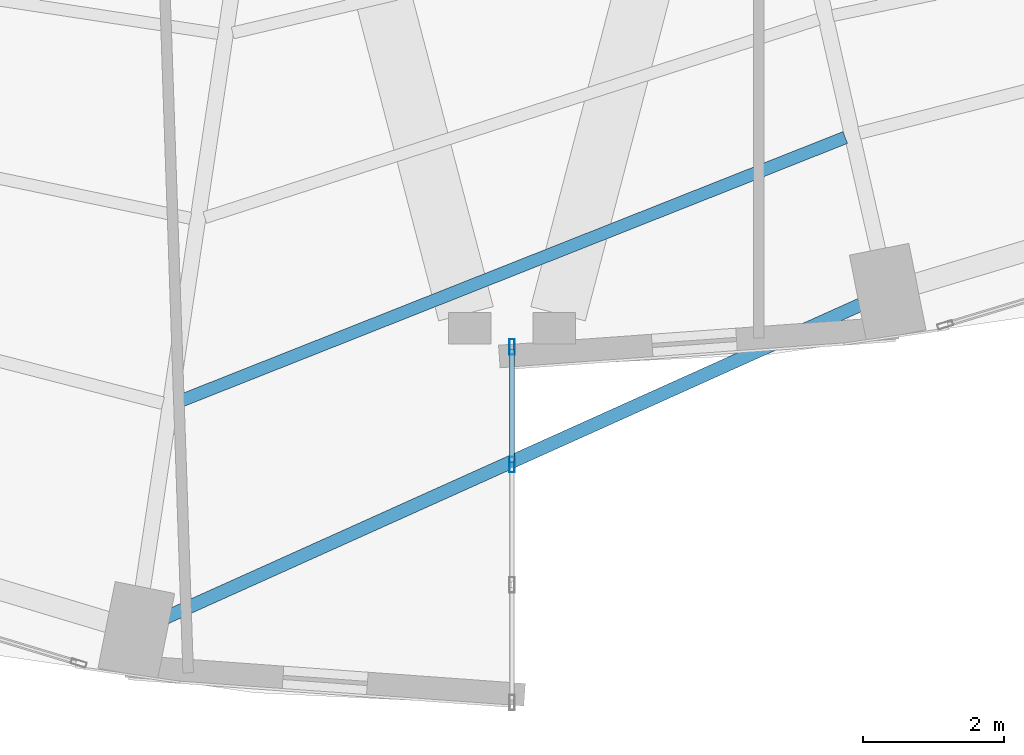
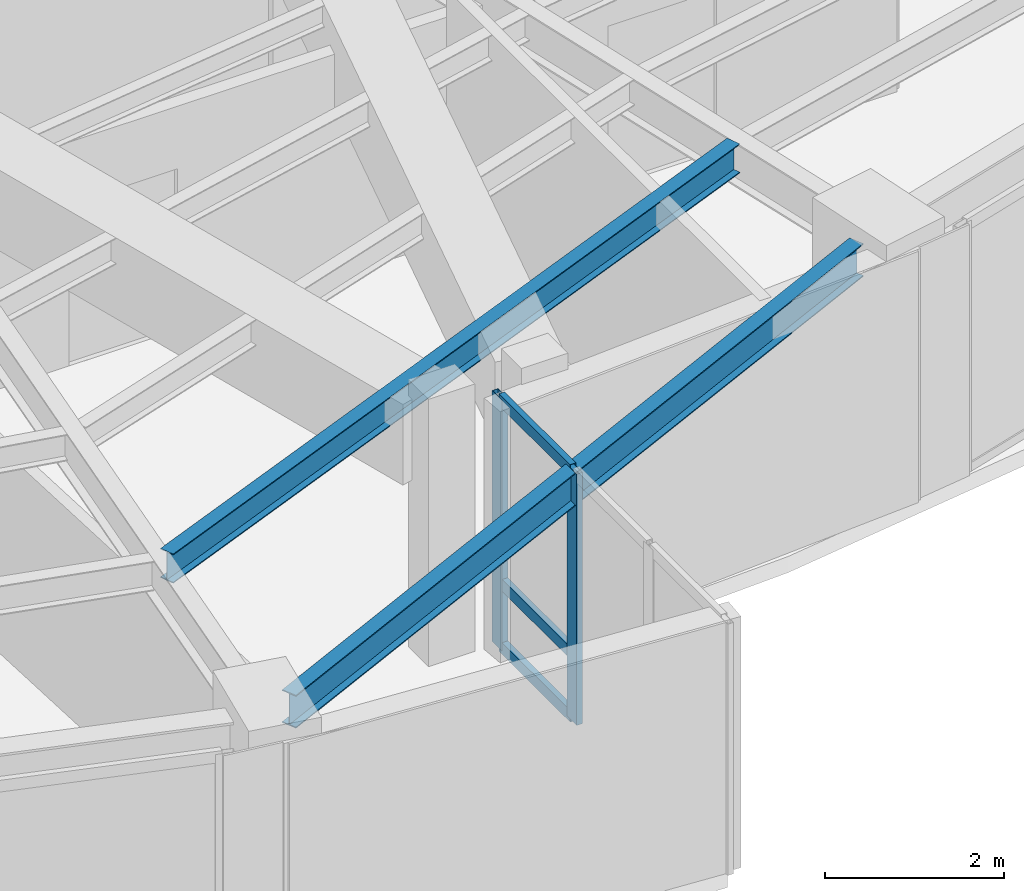
# One storey, part 6 of 25: 5 members, 2 beams, 1 element without a shape of its own.
"""IFC4 building model written with IfcOpenShell, lengths in metres."""

from ifc_helpers import new_model, si_unit, direction, frame, origin, origin_2d, place, context, subcontext, project, spatial, hollow_rectangle, i_section, extrude, material, layer, layer_set, material_profile, profile_set, type_object, element, aggregate, save


model = new_model("IFC4")

# Units and contexts
model_context = context("Model", 3, precision=1e-05, world=origin(), true_north=direction((0.0, 1.0)))
body_context = subcontext(model_context, "Body", "Model", "MODEL_VIEW")
ifc_project = project(units=[si_unit("LENGTHUNIT", "METRE"), si_unit("AREAUNIT", "SQUARE_METRE"), si_unit("VOLUMEUNIT", "CUBIC_METRE"), si_unit("PLANEANGLEUNIT", "RADIAN"), si_unit("MASSUNIT", "GRAM", prefix="KILO")], contexts=[model_context])

# Site, building, storey
site_placement = place(None, origin())
site = spatial("IfcSite", under=ifc_project, at=site_placement, CompositionType="ELEMENT")
building_placement = place(site_placement, origin())
building = spatial("IfcBuilding", under=site, at=building_placement, Name="Lazwardi Medical Tower", CompositionType="ELEMENT")
storey_placement = place(building_placement, frame((0.0, 0.0, 47.087890625)))
storey = spatial("IfcBuildingStorey", under=building, at=storey_placement, Name="L11", CompositionType="ELEMENT", Elevation=47.087890625)

# Beams
ifc_material_1 = material(Name="Steel S355", Category="steel")
ifc_material_profile_1 = material_profile(ifc_material_1, i_section(OverallWidth=0.179931640625, OverallDepth=0.39990234375, WebThickness=0.008544921875, FlangeThickness=0.013427734375, at=origin_2d()), Name="IPE 400")
ifc_profile_set_1 = profile_set([ifc_material_profile_1], Name="Steel S355")
beam_type_1 = type_object("IfcBeamType", Name="BM-SJ-01", PredefinedType="JOIST", material=ifc_profile_set_1)
beam_1_placement = place(storey_placement, frame((31.245849609375, 9.396484375, 3.22802734375), z_axis=(0.929663713752, 0.368409255222, 0.0), x_axis=(-0.368409255222, 0.929663713752, 0.0)))
element("IfcBeam", 1, at=beam_1_placement, inside=storey, type_object=beam_type_1, Name="Secondary joist SJ-01 R1 B16 L11", PredefinedType="JOIST", context=body_context, shape_type="SweptSolid", body=[
    extrude(i_section(OverallWidth=0.179931640625, OverallDepth=0.39990234375, WebThickness=0.008544921875, FlangeThickness=0.013427734375, at=origin_2d()), origin(), (0.0, 0.0, 1.0), 10.2001953125),
])
ifc_material_profile_2 = material_profile(ifc_material_1, i_section(OverallWidth=0.18994140625, OverallDepth=0.449951171875, WebThickness=0.009521484375, FlangeThickness=0.0146484375, at=origin_2d()), Name="IPE 450")
ifc_profile_set_2 = profile_set([ifc_material_profile_2], Name="Steel S355")
beam_type_2 = type_object("IfcBeamType", Name="BM-SP-01", PredefinedType="SPANDREL", material=ifc_profile_set_2)
beam_2_placement = place(storey_placement, frame((31.05224609375, 6.328369140625, 3.203125), z_axis=(0.91184908894, 0.410525564368, 0.0), x_axis=(-0.410525564368, 0.91184908894, 0.0)))
element("IfcBeam", 2, at=beam_2_placement, inside=storey, type_object=beam_type_2, Name="Spandrel beam SP-01 B16 L11", PredefinedType="SPANDREL", context=body_context, shape_type="SweptSolid", body=[
    extrude(i_section(OverallWidth=0.18994140625, OverallDepth=0.449951171875, WebThickness=0.009521484375, FlangeThickness=0.0146484375, at=origin_2d()), origin(), (0.0, 0.0, 1.0), 10.85205078125),
])

# Curtain wall, members
ifc_material_2 = material(Name="Anodised bronze aluminium and solar control glazing", Category="aluminium")
ifc_layer = layer(ifc_material_2, 0.2099609375)
ifc_layer_set = layer_set([ifc_layer], Name="Anodised bronze aluminium and solar control glazing")
curtain_wall_type = type_object("IfcCurtainWallType", Name="CW-SYS-06", PredefinedType="NOTDEFINED", material=ifc_layer_set)
curtain_wall_placement = place(storey_placement, origin())
curtain_wall = element("IfcCurtainWall", 3, at=curtain_wall_placement, inside=storey, type_object=curtain_wall_type, Name="L11 Unitised bronze curtain wall CW-06", PredefinedType="NOTDEFINED")
ifc_material_3 = material(Name="Anodised bronze aluminium", Category="aluminium")
ifc_material_profile_3 = material_profile(ifc_material_3, hollow_rectangle(XDim=0.074951171875, YDim=0.219970703125, WallThickness=0.00390625, at=origin_2d()), Name="ALU-MULLION 220x75x4")
ifc_profile_set_3 = profile_set([ifc_material_profile_3], Name="Anodised bronze aluminium")
member_type_1 = type_object("IfcMemberType", Name="CW-MUL-01", PredefinedType="MULLION", material=ifc_profile_set_3)
member_1_placement = place(storey_placement, frame((36.0, 8.513427734375, 0.0), z_axis=(0.0, 0.0, 1.0), x_axis=(-1.0, 0.0, 0.0)))
member_1 = element("IfcMember", 4, at=member_1_placement, type_object=member_type_1, Name="CW-06 mullion 3", PredefinedType="MULLION", context=body_context, shape_type="SweptSolid", body=[
    extrude(hollow_rectangle(XDim=0.074951171875, YDim=0.219970703125, WallThickness=0.00390625, at=origin_2d()), origin(), (0.0, 0.0, 1.0), 3.42822265625),
])
member_2_placement = place(storey_placement, frame((36.0, 10.1826171875, 0.0), z_axis=(0.0, 0.0, 1.0), x_axis=(-1.0, 0.0, 0.0)))
member_2 = element("IfcMember", 5, at=member_2_placement, type_object=member_type_1, Name="CW-06 mullion 4", PredefinedType="MULLION", context=body_context, shape_type="SweptSolid", body=[
    extrude(hollow_rectangle(XDim=0.074951171875, YDim=0.219970703125, WallThickness=0.00390625, at=origin_2d()), origin(), (0.0, 0.0, 1.0), 3.42822265625),
])
ifc_material_profile_4 = material_profile(ifc_material_3, hollow_rectangle(XDim=0.074951171875, YDim=0.159912109375, WallThickness=0.00390625, at=origin_2d()), Name="ALU-TRANSOM 160x75x4")
ifc_profile_set_4 = profile_set([ifc_material_profile_4], Name="Anodised bronze aluminium")
member_type_2 = type_object("IfcMemberType", Name="CW-TRN-01", PredefinedType="USERDEFINED", material=ifc_profile_set_4)
member_3_placement = place(storey_placement, frame((36.0, 8.55078125, 0.03759765625), z_axis=(0.0, 1.0, 0.0), x_axis=(-1.0, 0.0, 0.0)))
member_3 = element("IfcMember", 6, at=member_3_placement, type_object=member_type_2, Name="CW-06 transom 3.1", ObjectType="TRANSOM", PredefinedType="USERDEFINED", context=body_context, shape_type="SweptSolid", body=[
    extrude(hollow_rectangle(XDim=0.074951171875, YDim=0.159912109375, WallThickness=0.00390625, at=origin_2d()), origin(), (0.0, 0.0, 1.0), 1.59423828125),
])
member_4_placement = place(storey_placement, frame((36.0, 8.55078125, 0.900146484375), z_axis=(0.0, 1.0, 0.0), x_axis=(-1.0, 0.0, 0.0)))
member_4 = element("IfcMember", 7, at=member_4_placement, type_object=member_type_2, Name="CW-06 transom 3.2", ObjectType="TRANSOM", PredefinedType="USERDEFINED", context=body_context, shape_type="SweptSolid", body=[
    extrude(hollow_rectangle(XDim=0.074951171875, YDim=0.159912109375, WallThickness=0.00390625, at=origin_2d()), origin(), (0.0, 0.0, 1.0), 1.59423828125),
])
member_5_placement = place(storey_placement, frame((36.0, 8.55078125, 3.390625), z_axis=(0.0, 1.0, 0.0), x_axis=(-1.0, 0.0, 0.0)))
member_5 = element("IfcMember", 8, at=member_5_placement, type_object=member_type_2, Name="CW-06 transom 3.3", ObjectType="TRANSOM", PredefinedType="USERDEFINED", context=body_context, shape_type="SweptSolid", body=[
    extrude(hollow_rectangle(XDim=0.074951171875, YDim=0.159912109375, WallThickness=0.00390625, at=origin_2d()), origin(), (0.0, 0.0, 1.0), 1.59423828125),
])
aggregate(curtain_wall, [member_1, member_2, member_3, member_4, member_5])

save(model, "model.ifc")
